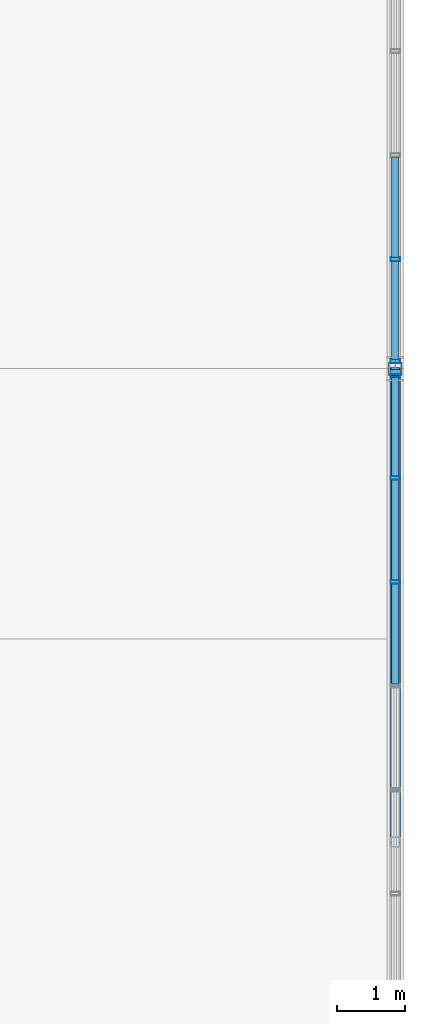
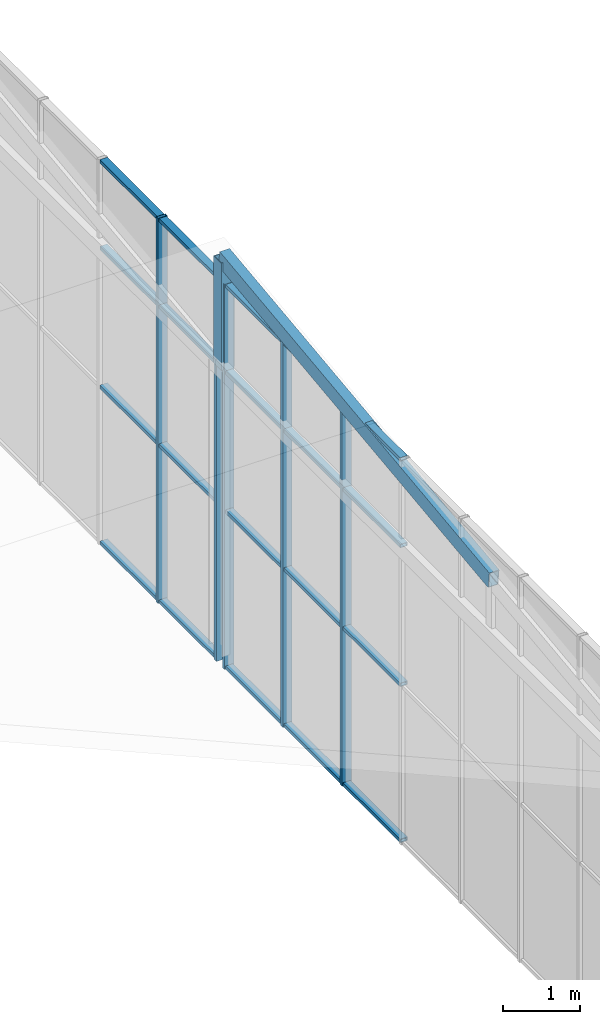
# One storey, part 72 of 104: 27 members, 2 elements without a shape of their own.
"""IFC4 building model written with IfcOpenShell, lengths in metres."""

from ifc_helpers import new_model, si_unit, direction, frame, origin, origin_2d, place, context, subcontext, project, spatial, hollow_rectangle, extrude, material, layer, layer_set, material_profile, profile_set, type_object, element, aggregate, save


model = new_model("IFC4")

# Units and contexts
model_context = context("Model", 3, precision=1e-05, world=origin(), true_north=direction((0.0, 1.0)))
body_context = subcontext(model_context, "Body", "Model", "MODEL_VIEW")
ifc_project = project(units=[si_unit("LENGTHUNIT", "METRE"), si_unit("AREAUNIT", "SQUARE_METRE"), si_unit("VOLUMEUNIT", "CUBIC_METRE"), si_unit("PLANEANGLEUNIT", "RADIAN"), si_unit("MASSUNIT", "GRAM", prefix="KILO")], contexts=[model_context])

# Site, building, storey
site_placement = place(None, origin())
site = spatial("IfcSite", under=ifc_project, at=site_placement, CompositionType="ELEMENT")
building_placement = place(site_placement, origin())
building = spatial("IfcBuilding", under=site, at=building_placement, Name="Solvenia Promenade Tram Depot", CompositionType="ELEMENT")
storey_placement = place(building_placement, frame((0.0, 0.0, 9.0)))
storey = spatial("IfcBuildingStorey", under=building, at=storey_placement, Name="L02", CompositionType="ELEMENT", Elevation=9.0)

# Curtain wall, members
ifc_material_1 = material(Name="Anodized aluminium AW-6063 T6", Category="aluminium")
ifc_layer = layer(ifc_material_1, 0.080078125, Name="Anodized aluminium AW-6063 T6", Category="aluminium")
ifc_layer_set = layer_set([ifc_layer], Name="Anodized aluminium AW-6063 T6")
curtain_wall_type = type_object("IfcCurtainWallType", Name="CW-Clerest-1500", PredefinedType="NOTDEFINED", material=ifc_layer_set)
curtain_wall_1_placement = place(storey_placement, origin())
curtain_wall_1 = element("IfcCurtainWall", 1, at=curtain_wall_1_placement, inside=storey, type_object=curtain_wall_type, Name="Curtain Wall CW-V2E-L2-2", PredefinedType="NOTDEFINED")
ifc_material_profile_1 = material_profile(ifc_material_1, hollow_rectangle(XDim=0.139892578125, YDim=0.054931640625, WallThickness=0.00390625, at=origin_2d()), Name="ALU-M4", Category="aluminium")
ifc_profile_set_1 = profile_set([ifc_material_profile_1], Name="Anodized aluminium AW-6063 T6")
member_type_1 = type_object("IfcMemberType", Name="CWM-Mullion-4", PredefinedType="MULLION", material=ifc_profile_set_1)
member_1_placement = place(storey_placement, frame((186.0, 48.844482421875, -0.25), z_axis=(0.0, 0.0, 1.0), x_axis=(-1.0, 0.0, 0.0)))
member_1 = element("IfcMember", 2, at=member_1_placement, type_object=member_type_1, Name="CW-4 mullion 8", PredefinedType="MULLION", context=body_context, shape_type="SweptSolid", body=[
    extrude(hollow_rectangle(XDim=0.139892578125, YDim=0.054931640625, WallThickness=0.00390625, at=origin_2d()), origin(), (0.0, 0.0, 1.0), 6.10009765625),
])
member_2_placement = place(storey_placement, frame((186.0, 50.38232421875, -0.25), z_axis=(0.0, 0.0, 1.0), x_axis=(-1.0, 0.0, 0.0)))
member_2 = element("IfcMember", 3, at=member_2_placement, type_object=member_type_1, Name="CW-4 mullion 9", PredefinedType="MULLION", context=body_context, shape_type="SweptSolid", body=[
    extrude(hollow_rectangle(XDim=0.139892578125, YDim=0.054931640625, WallThickness=0.00390625, at=origin_2d()), origin(), (0.0, 0.0, 1.0), 6.10009765625),
])
member_3_placement = place(storey_placement, frame((186.0, 51.892578125, -0.25), z_axis=(0.0, 0.0, 1.0), x_axis=(-1.0, 0.0, 0.0)))
member_3 = element("IfcMember", 4, at=member_3_placement, type_object=member_type_1, Name="CW-4 mullion 10", PredefinedType="MULLION", context=body_context, shape_type="SweptSolid", body=[
    extrude(hollow_rectangle(XDim=0.139892578125, YDim=0.054931640625, WallThickness=0.00390625, at=origin_2d()), origin(), (0.0, 0.0, 1.0), 6.10009765625),
])

curtain_wall_2_placement = place(storey_placement, origin())
curtain_wall_2 = element("IfcCurtainWall", 5, at=curtain_wall_2_placement, inside=storey, type_object=curtain_wall_type, Name="Curtain Wall CW-V2E-L2-3", PredefinedType="NOTDEFINED")
member_4_placement = place(storey_placement, frame((186.0, 52.107421875, -0.25), z_axis=(0.0, 0.0, 1.0), x_axis=(-1.0, 0.0, 0.0)))
member_4 = element("IfcMember", 6, at=member_4_placement, type_object=member_type_1, Name="CW-4 mullion 1", PredefinedType="MULLION", context=body_context, shape_type="SweptSolid", body=[
    extrude(hollow_rectangle(XDim=0.139892578125, YDim=0.054931640625, WallThickness=0.00390625, at=origin_2d()), origin(), (0.0, 0.0, 1.0), 6.10009765625),
])
member_5_placement = place(storey_placement, frame((186.0, 53.61767578125, -0.25), z_axis=(0.0, 0.0, 1.0), x_axis=(-1.0, 0.0, 0.0)))
member_5 = element("IfcMember", 7, at=member_5_placement, type_object=member_type_1, Name="CW-4 mullion 2", PredefinedType="MULLION", context=body_context, shape_type="SweptSolid", body=[
    extrude(hollow_rectangle(XDim=0.139892578125, YDim=0.054931640625, WallThickness=0.00390625, at=origin_2d()), origin(), (0.0, 0.0, 1.0), 6.10009765625),
])

# Member
ifc_material_profile_2 = material_profile(ifc_material_1, hollow_rectangle(XDim=0.110107421875, YDim=0.054931640625, WallThickness=0.00390625, at=origin_2d()), Name="ALU-T4", Category="aluminium")
ifc_profile_set_2 = profile_set([ifc_material_profile_2], Name="Anodized aluminium AW-6063 T6")
member_type_2 = type_object("IfcMemberType", Name="CWT-Transom-4", PredefinedType="USERDEFINED", material=ifc_profile_set_2)
member_6_placement = place(storey_placement, frame((186.0, 47.334228515625, -0.222412109375), z_axis=(0.0, 1.0, 0.0), x_axis=(-1.0, 0.0, 0.0)))
member_6 = element("IfcMember", 8, at=member_6_placement, type_object=member_type_2, Name="CW-4 transom 7.1", ObjectType="TRANSOM", PredefinedType="USERDEFINED", context=body_context, shape_type="SweptSolid", body=[
    extrude(hollow_rectangle(XDim=0.110107421875, YDim=0.054931640625, WallThickness=0.00390625, at=origin_2d()), origin(), (0.0, 0.0, 1.0), 1.482666015625),
])

member_7_placement = place(storey_placement, frame((186.0, 47.334228515625, 2.25), z_axis=(0.0, 1.0, 0.0), x_axis=(-1.0, 0.0, 0.0)))
member_7 = element("IfcMember", 9, at=member_7_placement, type_object=member_type_2, Name="CW-4 transom 7.2", ObjectType="TRANSOM", PredefinedType="USERDEFINED", context=body_context, shape_type="SweptSolid", body=[
    extrude(hollow_rectangle(XDim=0.110107421875, YDim=0.054931640625, WallThickness=0.00390625, at=origin_2d()), origin(), (0.0, 0.0, 1.0), 1.482666015625),
])

member_8_placement = place(storey_placement, frame((186.0, 47.334228515625, 4.449951171875), z_axis=(0.0, 1.0, 0.0), x_axis=(-1.0, 0.0, 0.0)))
member_8 = element("IfcMember", 10, at=member_8_placement, type_object=member_type_2, Name="CW-4 transom 7.3", ObjectType="TRANSOM", PredefinedType="USERDEFINED", context=body_context, shape_type="SweptSolid", body=[
    extrude(hollow_rectangle(XDim=0.110107421875, YDim=0.054931640625, WallThickness=0.00390625, at=origin_2d()), origin(), (0.0, 0.0, 1.0), 1.482666015625),
])

member_9_placement = place(storey_placement, frame((186.0, 47.334228515625, 5.822509765625), z_axis=(0.0, 1.0, 0.0), x_axis=(-1.0, 0.0, 0.0)))
member_9 = element("IfcMember", 11, at=member_9_placement, type_object=member_type_2, Name="CW-4 transom 7.4", ObjectType="TRANSOM", PredefinedType="USERDEFINED", context=body_context, shape_type="SweptSolid", body=[
    extrude(hollow_rectangle(XDim=0.110107421875, YDim=0.054931640625, WallThickness=0.00390625, at=origin_2d()), origin(), (0.0, 0.0, 1.0), 1.482666015625),
])

member_10_placement = place(storey_placement, frame((186.0, 48.871826171875, -0.222412109375), z_axis=(0.0, 1.0, 0.0), x_axis=(-1.0, 0.0, 0.0)))
member_10 = element("IfcMember", 12, at=member_10_placement, type_object=member_type_2, Name="CW-4 transom 8.1", ObjectType="TRANSOM", PredefinedType="USERDEFINED", context=body_context, shape_type="SweptSolid", body=[
    extrude(hollow_rectangle(XDim=0.110107421875, YDim=0.054931640625, WallThickness=0.00390625, at=origin_2d()), origin(), (0.0, 0.0, 1.0), 1.48291015625),
])

member_11_placement = place(storey_placement, frame((186.0, 48.871826171875, 2.25), z_axis=(0.0, 1.0, 0.0), x_axis=(-1.0, 0.0, 0.0)))
member_11 = element("IfcMember", 13, at=member_11_placement, type_object=member_type_2, Name="CW-4 transom 8.2", ObjectType="TRANSOM", PredefinedType="USERDEFINED", context=body_context, shape_type="SweptSolid", body=[
    extrude(hollow_rectangle(XDim=0.110107421875, YDim=0.054931640625, WallThickness=0.00390625, at=origin_2d()), origin(), (0.0, 0.0, 1.0), 1.48291015625),
])

member_12_placement = place(storey_placement, frame((186.0, 48.871826171875, 4.449951171875), z_axis=(0.0, 1.0, 0.0), x_axis=(-1.0, 0.0, 0.0)))
member_12 = element("IfcMember", 14, at=member_12_placement, type_object=member_type_2, Name="CW-4 transom 8.3", ObjectType="TRANSOM", PredefinedType="USERDEFINED", context=body_context, shape_type="SweptSolid", body=[
    extrude(hollow_rectangle(XDim=0.110107421875, YDim=0.054931640625, WallThickness=0.00390625, at=origin_2d()), origin(), (0.0, 0.0, 1.0), 1.48291015625),
])

member_13_placement = place(storey_placement, frame((186.0, 48.871826171875, 5.822509765625), z_axis=(0.0, 1.0, 0.0), x_axis=(-1.0, 0.0, 0.0)))
member_13 = element("IfcMember", 15, at=member_13_placement, type_object=member_type_2, Name="CW-4 transom 8.4", ObjectType="TRANSOM", PredefinedType="USERDEFINED", context=body_context, shape_type="SweptSolid", body=[
    extrude(hollow_rectangle(XDim=0.110107421875, YDim=0.054931640625, WallThickness=0.00390625, at=origin_2d()), origin(), (0.0, 0.0, 1.0), 1.48291015625),
])

member_14_placement = place(storey_placement, frame((186.0, 50.40966796875, -0.222412109375), z_axis=(0.0, 1.0, 0.0), x_axis=(-1.0, 0.0, 0.0)))
member_14 = element("IfcMember", 16, at=member_14_placement, type_object=member_type_2, Name="CW-4 transom 9.1", ObjectType="TRANSOM", PredefinedType="USERDEFINED", context=body_context, shape_type="SweptSolid", body=[
    extrude(hollow_rectangle(XDim=0.110107421875, YDim=0.054931640625, WallThickness=0.00390625, at=origin_2d()), origin(), (0.0, 0.0, 1.0), 1.455322265625),
])

member_15_placement = place(storey_placement, frame((186.0, 50.40966796875, 2.25), z_axis=(0.0, 1.0, 0.0), x_axis=(-1.0, 0.0, 0.0)))
member_15 = element("IfcMember", 17, at=member_15_placement, type_object=member_type_2, Name="CW-4 transom 9.2", ObjectType="TRANSOM", PredefinedType="USERDEFINED", context=body_context, shape_type="SweptSolid", body=[
    extrude(hollow_rectangle(XDim=0.110107421875, YDim=0.054931640625, WallThickness=0.00390625, at=origin_2d()), origin(), (0.0, 0.0, 1.0), 1.455322265625),
])

member_16_placement = place(storey_placement, frame((186.0, 50.40966796875, 4.449951171875), z_axis=(0.0, 1.0, 0.0), x_axis=(-1.0, 0.0, 0.0)))
member_16 = element("IfcMember", 18, at=member_16_placement, type_object=member_type_2, Name="CW-4 transom 9.3", ObjectType="TRANSOM", PredefinedType="USERDEFINED", context=body_context, shape_type="SweptSolid", body=[
    extrude(hollow_rectangle(XDim=0.110107421875, YDim=0.054931640625, WallThickness=0.00390625, at=origin_2d()), origin(), (0.0, 0.0, 1.0), 1.455322265625),
])

member_17_placement = place(storey_placement, frame((186.0, 50.40966796875, 5.822509765625), z_axis=(0.0, 1.0, 0.0), x_axis=(-1.0, 0.0, 0.0)))
member_17 = element("IfcMember", 19, at=member_17_placement, type_object=member_type_2, Name="CW-4 transom 9.4", ObjectType="TRANSOM", PredefinedType="USERDEFINED", context=body_context, shape_type="SweptSolid", body=[
    extrude(hollow_rectangle(XDim=0.110107421875, YDim=0.054931640625, WallThickness=0.00390625, at=origin_2d()), origin(), (0.0, 0.0, 1.0), 1.455322265625),
])

aggregate(curtain_wall_1, [member_1, member_2, member_3, member_6, member_7, member_8, member_9, member_10, member_11, member_12, member_13, member_14, member_15, member_16, member_17])

member_18_placement = place(storey_placement, frame((186.0, 52.135009765625, -0.222412109375), z_axis=(0.0, 1.0, 0.0), x_axis=(-1.0, 0.0, 0.0)))
member_18 = element("IfcMember", 20, at=member_18_placement, type_object=member_type_2, Name="CW-4 transom 1.1", ObjectType="TRANSOM", PredefinedType="USERDEFINED", context=body_context, shape_type="SweptSolid", body=[
    extrude(hollow_rectangle(XDim=0.110107421875, YDim=0.054931640625, WallThickness=0.00390625, at=origin_2d()), origin(), (0.0, 0.0, 1.0), 1.455322265625),
])

member_19_placement = place(storey_placement, frame((186.0, 52.135009765625, 2.25), z_axis=(0.0, 1.0, 0.0), x_axis=(-1.0, 0.0, 0.0)))
member_19 = element("IfcMember", 21, at=member_19_placement, type_object=member_type_2, Name="CW-4 transom 1.2", ObjectType="TRANSOM", PredefinedType="USERDEFINED", context=body_context, shape_type="SweptSolid", body=[
    extrude(hollow_rectangle(XDim=0.110107421875, YDim=0.054931640625, WallThickness=0.00390625, at=origin_2d()), origin(), (0.0, 0.0, 1.0), 1.455322265625),
])

member_20_placement = place(storey_placement, frame((186.0, 52.135009765625, 4.449951171875), z_axis=(0.0, 1.0, 0.0), x_axis=(-1.0, 0.0, 0.0)))
member_20 = element("IfcMember", 22, at=member_20_placement, type_object=member_type_2, Name="CW-4 transom 1.3", ObjectType="TRANSOM", PredefinedType="USERDEFINED", context=body_context, shape_type="SweptSolid", body=[
    extrude(hollow_rectangle(XDim=0.110107421875, YDim=0.054931640625, WallThickness=0.00390625, at=origin_2d()), origin(), (0.0, 0.0, 1.0), 1.455322265625),
])

member_21_placement = place(storey_placement, frame((186.0, 52.135009765625, 5.822509765625), z_axis=(0.0, 1.0, 0.0), x_axis=(-1.0, 0.0, 0.0)))
member_21 = element("IfcMember", 23, at=member_21_placement, type_object=member_type_2, Name="CW-4 transom 1.4", ObjectType="TRANSOM", PredefinedType="USERDEFINED", context=body_context, shape_type="SweptSolid", body=[
    extrude(hollow_rectangle(XDim=0.110107421875, YDim=0.054931640625, WallThickness=0.00390625, at=origin_2d()), origin(), (0.0, 0.0, 1.0), 1.455322265625),
])

member_22_placement = place(storey_placement, frame((186.0, 53.645263671875, -0.222412109375), z_axis=(0.0, 1.0, 0.0), x_axis=(-1.0, 0.0, 0.0)))
member_22 = element("IfcMember", 24, at=member_22_placement, type_object=member_type_2, Name="CW-4 transom 2.1", ObjectType="TRANSOM", PredefinedType="USERDEFINED", context=body_context, shape_type="SweptSolid", body=[
    extrude(hollow_rectangle(XDim=0.110107421875, YDim=0.054931640625, WallThickness=0.00390625, at=origin_2d()), origin(), (0.0, 0.0, 1.0), 1.48291015625),
])

member_23_placement = place(storey_placement, frame((186.0, 53.645263671875, 2.25), z_axis=(0.0, 1.0, 0.0), x_axis=(-1.0, 0.0, 0.0)))
member_23 = element("IfcMember", 25, at=member_23_placement, type_object=member_type_2, Name="CW-4 transom 2.2", ObjectType="TRANSOM", PredefinedType="USERDEFINED", context=body_context, shape_type="SweptSolid", body=[
    extrude(hollow_rectangle(XDim=0.110107421875, YDim=0.054931640625, WallThickness=0.00390625, at=origin_2d()), origin(), (0.0, 0.0, 1.0), 1.48291015625),
])

member_24_placement = place(storey_placement, frame((186.0, 53.645263671875, 4.449951171875), z_axis=(0.0, 1.0, 0.0), x_axis=(-1.0, 0.0, 0.0)))
member_24 = element("IfcMember", 26, at=member_24_placement, type_object=member_type_2, Name="CW-4 transom 2.3", ObjectType="TRANSOM", PredefinedType="USERDEFINED", context=body_context, shape_type="SweptSolid", body=[
    extrude(hollow_rectangle(XDim=0.110107421875, YDim=0.054931640625, WallThickness=0.00390625, at=origin_2d()), origin(), (0.0, 0.0, 1.0), 1.48291015625),
])

member_25_placement = place(storey_placement, frame((186.0, 53.645263671875, 5.822509765625), z_axis=(0.0, 1.0, 0.0), x_axis=(-1.0, 0.0, 0.0)))
member_25 = element("IfcMember", 27, at=member_25_placement, type_object=member_type_2, Name="CW-4 transom 2.4", ObjectType="TRANSOM", PredefinedType="USERDEFINED", context=body_context, shape_type="SweptSolid", body=[
    extrude(hollow_rectangle(XDim=0.110107421875, YDim=0.054931640625, WallThickness=0.00390625, at=origin_2d()), origin(), (0.0, 0.0, 1.0), 1.48291015625),
])

aggregate(curtain_wall_2, [member_4, member_5, member_18, member_19, member_20, member_21, member_22, member_23, member_24, member_25])

# Members
ifc_material_2 = material(Name="Structural steel ASTM A500 Gr. C", Category="steel")
ifc_material_profile_3 = material_profile(ifc_material_2, hollow_rectangle(XDim=0.14990234375, YDim=0.25, WallThickness=0.010009765625, at=origin_2d()), Name="HSS250x150x10", Category="steel")
ifc_profile_set_3 = profile_set([ifc_material_profile_3], Name="Structural steel ASTM A500 Gr. C")
member_type_3 = type_object("IfcMemberType", Name="Chord-HSS250x150x10", PredefinedType="CHORD", material=ifc_profile_set_3)
member_26_placement = place(storey_placement, frame((186.0, 45.0, 5.330078125), z_axis=(0.0, 0.992710577163, 0.120522653429), x_axis=(-1.0, 0.0, 0.0)))
element("IfcMember", 28, at=member_26_placement, inside=storey, type_object=member_type_3, Name="Workshop Sawtooth Rafter 1-10N", PredefinedType="CHORD", context=body_context, shape_type="SweptSolid", body=[
    extrude(hollow_rectangle(XDim=0.14990234375, YDim=0.25, WallThickness=0.010009765625, at=origin_2d()), origin(), (0.0, 0.0, 1.0), 7.051513671875),
])
ifc_material_profile_4 = material_profile(ifc_material_2, hollow_rectangle(XDim=0.199951171875, YDim=0.199951171875, WallThickness=0.010009765625, at=origin_2d()), Name="HSS200x200x10", Category="steel")
ifc_profile_set_4 = profile_set([ifc_material_profile_4], Name="Structural steel ASTM A500 Gr. C")
member_type_4 = type_object("IfcMemberType", Name="Post-HSS200x200x10", PredefinedType="POST", material=ifc_profile_set_4)
member_27_placement = place(storey_placement, frame((186.0, 52.0, 4.47998046875), z_axis=(0.0, 0.0, 1.0), x_axis=(1.0, 0.0, 0.0)))
element("IfcMember", 29, at=member_27_placement, inside=storey, type_object=member_type_4, Name="Workshop Sawtooth Post 1-10", PredefinedType="POST", context=body_context, shape_type="SweptSolid", body=[
    extrude(hollow_rectangle(XDim=0.199951171875, YDim=0.199951171875, WallThickness=0.010009765625, at=origin_2d()), origin(), (0.0, 0.0, 1.0), 1.699951171875),
])

save(model, "model.ifc")
